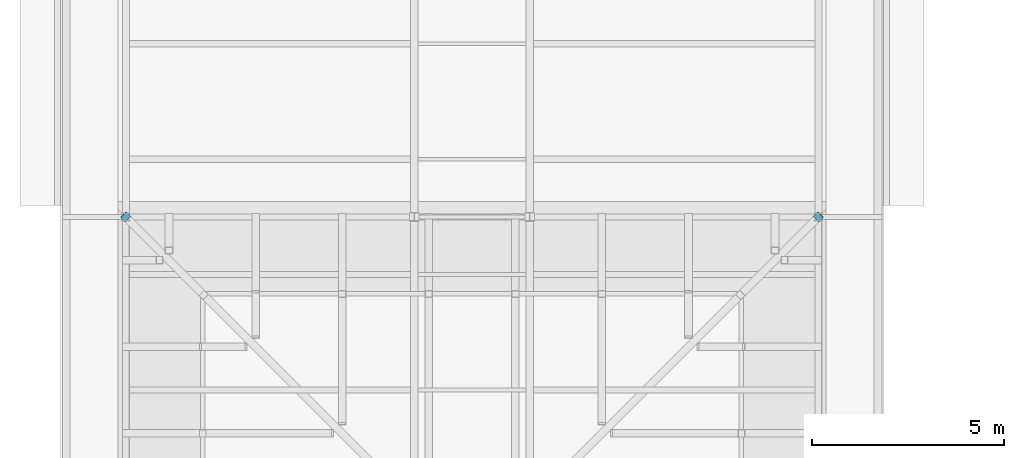
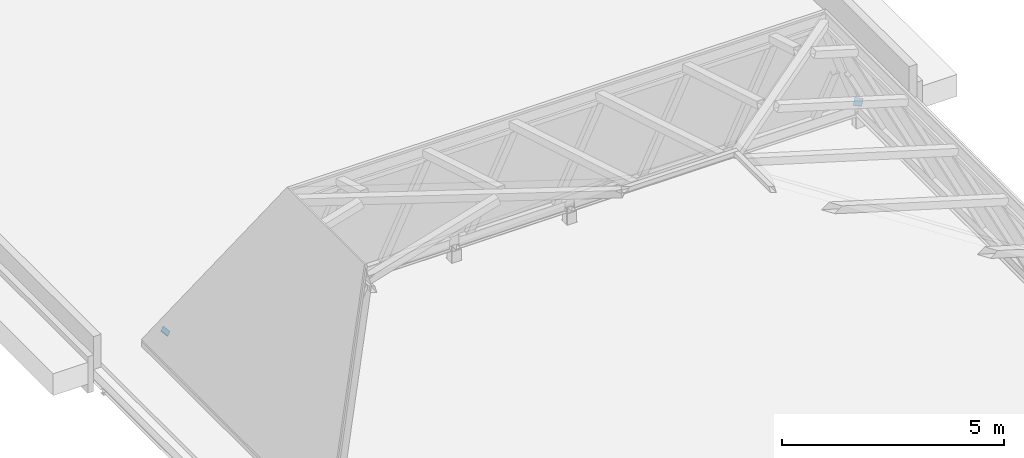
# One storey, part 23 of 29: 2 discrete accessories.
"""IFC4 building model written with IfcOpenShell, lengths in metres."""

from ifc_helpers import new_model, si_unit, direction, frame, origin, origin_2d, place, context, subcontext, project, spatial, rectangle, extrude, material, material_profile, profile_set, type_object, element, save


model = new_model("IFC4")

# Units and contexts
model_context = context("Model", 3, precision=1e-05, world=origin(), true_north=direction((0.0, 1.0)))
body_context = subcontext(model_context, "Body", "Model", "MODEL_VIEW")
ifc_project = project(units=[si_unit("LENGTHUNIT", "METRE"), si_unit("AREAUNIT", "SQUARE_METRE"), si_unit("VOLUMEUNIT", "CUBIC_METRE"), si_unit("PLANEANGLEUNIT", "RADIAN"), si_unit("MASSUNIT", "GRAM", prefix="KILO")], contexts=[model_context])

# Site, building, storey
site_placement = place(None, origin())
site = spatial("IfcSite", under=ifc_project, at=site_placement, CompositionType="ELEMENT")
building_placement = place(site_placement, origin())
building = spatial("IfcBuilding", under=site, at=building_placement, Name="Golden Quay Civic Hall", CompositionType="ELEMENT")
storey_placement = place(building_placement, frame((0.0, 0.0, 27.0)))
storey = spatial("IfcBuildingStorey", under=building, at=storey_placement, Name="L06", CompositionType="ELEMENT", Elevation=27.0)

# Discrete accessories
ifc_material = material(Name="Steel S355", Category="steel")
ifc_material_profile = material_profile(ifc_material, rectangle(XDim=0.199951171875, YDim=0.199951171875, at=origin_2d()), Name="Steel end cap plate 200x200x16")
ifc_profile_set = profile_set([ifc_material_profile], Name="Steel S355")
discrete_accessory_type = type_object("IfcDiscreteAccessoryType", Name="Steel end cap plate 200x200x16", PredefinedType="BRACKET", material=ifc_profile_set)
for number, where, z_axis, x_axis, name in (
    (1, (0.0, 9.0, 0.642578125), (-0.413335248502, 0.413335248502, -0.811361784096), (-0.707106781187, -0.707106781187, 0.0), "End cap hip rafter WO-S north-west"),
    (2, (18.0, 9.0, 0.642578125), (0.413335248502, 0.413335248502, -0.811361784096), (-0.707106781187, 0.707106781187, 0.0), "End cap hip rafter WO-S north-east"),
):
    element("IfcDiscreteAccessory", number, at=place(storey_placement, frame(where, z_axis=z_axis, x_axis=x_axis)), inside=storey, type_object=discrete_accessory_type, Name=name, PredefinedType="BRACKET", context=body_context, shape_type="SweptSolid", body=[
        extrude(rectangle(XDim=0.199951171875, YDim=0.199951171875, at=origin_2d()), origin(), (0.0, 0.0, 1.0), 0.015869140625),
    ])

save(model, "model.ifc")
